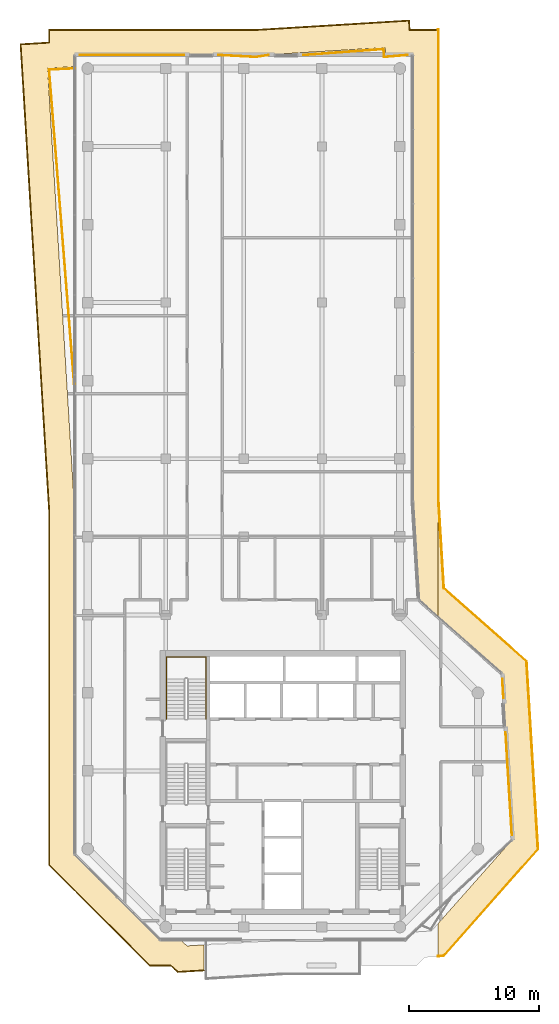
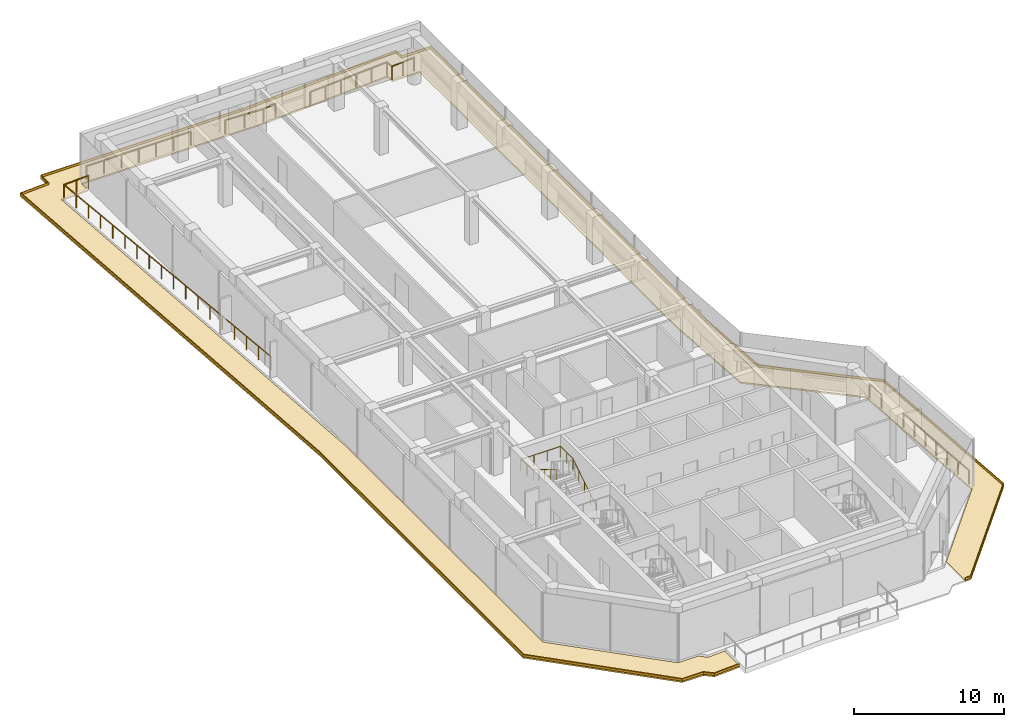
# One storey, part 21 of 21: 7 railings, 4 coverings.
"""IFC4 building model written with IfcOpenShell, lengths in metres."""

from ifc_helpers import new_model, si_unit, direction, frame, origin, origin_2d, place, context, subcontext, project, spatial, polyline, circle, outline, extrude, material, layer, layer_set, type_object, element, save


model = new_model("IFC4")

# Units and contexts
model_context = context("Model", 3, precision=1e-05, world=origin(), true_north=direction((0.0, 1.0)))
body_context = subcontext(model_context, "Body", "Model", "MODEL_VIEW")
ifc_project = project(units=[si_unit("LENGTHUNIT", "METRE"), si_unit("AREAUNIT", "SQUARE_METRE"), si_unit("VOLUMEUNIT", "CUBIC_METRE"), si_unit("PLANEANGLEUNIT", "RADIAN"), si_unit("MASSUNIT", "GRAM", prefix="KILO")], contexts=[model_context])

# Site, building, storey
site_placement = place(None, origin())
site = spatial("IfcSite", under=ifc_project, at=site_placement, CompositionType="ELEMENT")
building_placement = place(site_placement, origin())
building = spatial("IfcBuilding", under=site, at=building_placement, Name="Welwitschia Terrace Campus", CompositionType="ELEMENT")
storey_placement = place(building_placement, frame((0.0, 0.0, 213.800048828125)))
storey = spatial("IfcBuildingStorey", under=building, at=storey_placement, Name="L47", CompositionType="ELEMENT", Elevation=213.800048828125)

# Railings
ifc_material_1 = material(Name="Stainless steel grade 316", Category="steel")
railing_type_1 = type_object("IfcRailingType", Name="Guard 1100", PredefinedType="GUARDRAIL", material=ifc_material_1)
railing_1_placement = place(storey_placement, frame((-1.030029296875, 45.744140625, 0.0)))
element("IfcRailing", 1, at=railing_1_placement, inside=storey, type_object=railing_type_1, Name="Guard floor edge L47.0", PredefinedType="GUARDRAIL", context=body_context, shape_type="SweptSolid", body=[
    extrude(circle(Radius=0.02392578125, at=origin_2d()), frame((0.0, 0.0, 1.076171875), z_axis=(-0.079531868995, 0.996832323821, 0.0), x_axis=(-0.996832323821, -0.079531868995, 0.0)), (0.0, 0.0, 1.0), 24.24169921875),
    extrude(circle(Radius=0.02392578125, at=origin_2d()), frame((-1.927978515625, 24.164794921875, 1.076171875), z_axis=(0.998904190997, 0.046801893209, 0.0), x_axis=(-0.046801893209, 0.998904190997, 0.0)), (0.0, 0.0, 1.0), 1.93017578125),
    extrude(circle(Radius=0.02099609375, at=origin_2d()), origin(), (0.0, 0.0, 1.0), 1.052001953125),
    extrude(circle(Radius=0.02099609375, at=origin_2d()), frame((-0.113525390625, 1.42138671875, 0.0)), (0.0, 0.0, 1.0), 1.052001953125),
    extrude(circle(Radius=0.02099609375, at=origin_2d()), frame((-0.226806640625, 2.843017578125, 0.0)), (0.0, 0.0, 1.0), 1.052001953125),
    extrude(circle(Radius=0.02099609375, at=origin_2d()), frame((-0.34033203125, 4.264404296875, 0.0)), (0.0, 0.0, 1.0), 1.052001953125),
    extrude(circle(Radius=0.02099609375, at=origin_2d()), frame((-0.45361328125, 5.685791015625, 0.0)), (0.0, 0.0, 1.0), 1.052001953125),
    extrude(circle(Radius=0.02099609375, at=origin_2d()), frame((-0.567138671875, 7.107177734375, 0.0)), (0.0, 0.0, 1.0), 1.052001953125),
    extrude(circle(Radius=0.02099609375, at=origin_2d()), frame((-0.680419921875, 8.52880859375, 0.0)), (0.0, 0.0, 1.0), 1.052001953125),
    extrude(circle(Radius=0.02099609375, at=origin_2d()), frame((-0.7939453125, 9.9501953125, 0.0)), (0.0, 0.0, 1.0), 1.052001953125),
    extrude(circle(Radius=0.02099609375, at=origin_2d()), frame((-0.9072265625, 11.37158203125, 0.0)), (0.0, 0.0, 1.0), 1.052001953125),
    extrude(circle(Radius=0.02099609375, at=origin_2d()), frame((-1.020751953125, 12.793212890625, 0.0)), (0.0, 0.0, 1.0), 1.052001953125),
    extrude(circle(Radius=0.02099609375, at=origin_2d()), frame((-1.134033203125, 14.214599609375, 0.0)), (0.0, 0.0, 1.0), 1.052001953125),
    extrude(circle(Radius=0.02099609375, at=origin_2d()), frame((-1.24755859375, 15.635986328125, 0.0)), (0.0, 0.0, 1.0), 1.052001953125),
    extrude(circle(Radius=0.02099609375, at=origin_2d()), frame((-1.36083984375, 17.0576171875, 0.0)), (0.0, 0.0, 1.0), 1.052001953125),
    extrude(circle(Radius=0.02099609375, at=origin_2d()), frame((-1.474365234375, 18.47900390625, 0.0)), (0.0, 0.0, 1.0), 1.052001953125),
    extrude(circle(Radius=0.02099609375, at=origin_2d()), frame((-1.587646484375, 19.900390625, 0.0)), (0.0, 0.0, 1.0), 1.052001953125),
    extrude(circle(Radius=0.02099609375, at=origin_2d()), frame((-1.701171875, 21.32177734375, 0.0)), (0.0, 0.0, 1.0), 1.052001953125),
    extrude(circle(Radius=0.02099609375, at=origin_2d()), frame((-1.814453125, 22.743408203125, 0.0)), (0.0, 0.0, 1.0), 1.052001953125),
    extrude(circle(Radius=0.02099609375, at=origin_2d()), frame((-1.927978515625, 24.164794921875, 0.0)), (0.0, 0.0, 1.0), 1.052001953125),
    extrude(circle(Radius=0.02099609375, at=origin_2d()), frame((-0.9638671875, 24.2099609375, 0.0)), (0.0, 0.0, 1.0), 1.052001953125),
    extrude(circle(Radius=0.02099609375, at=origin_2d()), frame((0.0, 24.255126953125, 0.0)), (0.0, 0.0, 1.0), 1.052001953125),
])
railing_2_placement = place(storey_placement, frame((-0.580078125, 71.030029296875, 0.0)))
element("IfcRailing", 2, at=railing_2_placement, inside=storey, type_object=railing_type_1, Name="Guard floor edge L47.1", PredefinedType="GUARDRAIL", context=body_context, shape_type="SweptSolid", body=[
    extrude(circle(Radius=0.02392578125, at=origin_2d()), frame((0.0, 0.0, 1.076171875), z_axis=(1.0, 0.0, 0.0), x_axis=(0.0, 1.0, 0.0)), (0.0, 0.0, 1.0), 7.998779296875),
    extrude(circle(Radius=0.02099609375, at=origin_2d()), origin(), (0.0, 0.0, 1.0), 1.052001953125),
    extrude(circle(Radius=0.02099609375, at=origin_2d()), frame((1.3330078125, 0.0, 0.0)), (0.0, 0.0, 1.0), 1.052001953125),
    extrude(circle(Radius=0.02099609375, at=origin_2d()), frame((2.666259765625, 0.0, 0.0)), (0.0, 0.0, 1.0), 1.052001953125),
    extrude(circle(Radius=0.02099609375, at=origin_2d()), frame((3.99951171875, 0.0, 0.0)), (0.0, 0.0, 1.0), 1.052001953125),
    extrude(circle(Radius=0.02099609375, at=origin_2d()), frame((5.33251953125, 0.0, 0.0)), (0.0, 0.0, 1.0), 1.052001953125),
    extrude(circle(Radius=0.02099609375, at=origin_2d()), frame((6.66552734375, 0.0, 0.0)), (0.0, 0.0, 1.0), 1.052001953125),
    extrude(circle(Radius=0.02099609375, at=origin_2d()), frame((7.998779296875, 0.0, 0.0)), (0.0, 0.0, 1.0), 1.052001953125),
])
railing_3_placement = place(storey_placement, frame((10.066162109375, 71.030029296875, 0.0)))
element("IfcRailing", 3, at=railing_3_placement, inside=storey, type_object=railing_type_1, Name="Guard floor edge L47.2", PredefinedType="GUARDRAIL", context=body_context, shape_type="SweptSolid", body=[
    extrude(circle(Radius=0.02392578125, at=origin_2d()), frame((0.0, 0.0, 1.076171875), z_axis=(0.998618065384, -0.052554347956, 0.0), x_axis=(0.052554347956, 0.998618065384, 0.0)), (0.0, 0.0, 1.0), 2.85693359375),
    extrude(circle(Radius=0.02392578125, at=origin_2d()), frame((2.85302734375, -0.150146484375, 1.076171875), z_axis=(0.988856308526, 0.148873103976, 0.0), x_axis=(-0.148873103976, 0.988856308526, 0.0)), (0.0, 0.0, 1.0), 1.008544921875),
    extrude(circle(Radius=0.02099609375, at=origin_2d()), origin(), (0.0, 0.0, 1.0), 1.052001953125),
    extrude(circle(Radius=0.02099609375, at=origin_2d()), frame((1.426513671875, -0.0751953125, 0.0)), (0.0, 0.0, 1.0), 1.052001953125),
    extrude(circle(Radius=0.02099609375, at=origin_2d()), frame((2.85302734375, -0.150146484375, 0.0)), (0.0, 0.0, 1.0), 1.052001953125),
    extrude(circle(Radius=0.02099609375, at=origin_2d()), frame((3.850341796875, 0.0, 0.0)), (0.0, 0.0, 1.0), 1.052001953125),
])
railing_4_placement = place(storey_placement, frame((16.6005859375, 71.030029296875, 0.0)))
element("IfcRailing", 4, at=railing_4_placement, inside=storey, type_object=railing_type_1, Name="Guard floor edge L47.3", PredefinedType="GUARDRAIL", context=body_context, shape_type="SweptSolid", body=[
    extrude(circle(Radius=0.02392578125, at=origin_2d()), frame((0.0, 0.0, 1.076171875), z_axis=(0.997319867902, 0.073164753045, 0.0), x_axis=(-0.073164753045, 0.997319867902, 0.0)), (0.0, 0.0, 1.0), 6.169921875),
    extrude(circle(Radius=0.02392578125, at=origin_2d()), frame((6.1533203125, 0.451416015625, 1.076171875), z_axis=(0.061167716242, -0.998127502121, 0.0), x_axis=(0.998127502121, 0.061167716242, 0.0)), (0.0, 0.0, 1.0), 0.602783203125),
    extrude(circle(Radius=0.02392578125, at=origin_2d()), frame((6.190185546875, -0.150146484375, 1.076171875), z_axis=(0.996497770344, 0.083619338076, 0.0), x_axis=(-0.083619338076, 0.996497770344, 0.0)), (0.0, 0.0, 1.0), 1.795654296875),
    extrude(circle(Radius=0.02099609375, at=origin_2d()), origin(), (0.0, 0.0, 1.0), 1.052001953125),
    extrude(circle(Radius=0.02099609375, at=origin_2d()), frame((1.230712890625, 0.09033203125, 0.0)), (0.0, 0.0, 1.0), 1.052001953125),
    extrude(circle(Radius=0.02099609375, at=origin_2d()), frame((2.46142578125, 0.1806640625, 0.0)), (0.0, 0.0, 1.0), 1.052001953125),
    extrude(circle(Radius=0.02099609375, at=origin_2d()), frame((3.69189453125, 0.270751953125, 0.0)), (0.0, 0.0, 1.0), 1.052001953125),
    extrude(circle(Radius=0.02099609375, at=origin_2d()), frame((4.922607421875, 0.361083984375, 0.0)), (0.0, 0.0, 1.0), 1.052001953125),
    extrude(circle(Radius=0.02099609375, at=origin_2d()), frame((6.1533203125, 0.451416015625, 0.0)), (0.0, 0.0, 1.0), 1.052001953125),
    extrude(circle(Radius=0.02099609375, at=origin_2d()), frame((6.190185546875, -0.150146484375, 0.0)), (0.0, 0.0, 1.0), 1.052001953125),
    extrude(circle(Radius=0.02099609375, at=origin_2d()), frame((7.0849609375, -0.0751953125, 0.0)), (0.0, 0.0, 1.0), 1.052001953125),
    extrude(circle(Radius=0.02099609375, at=origin_2d()), frame((7.9794921875, 0.0, 0.0)), (0.0, 0.0, 1.0), 1.052001953125),
])
railing_5_placement = place(storey_placement, frame((31.87646484375, 23.071044921875, 0.0)))
element("IfcRailing", 5, at=railing_5_placement, inside=storey, type_object=railing_type_1, Name="Guard floor edge L47.5", PredefinedType="GUARDRAIL", context=body_context, shape_type="SweptSolid", body=[
    extrude(circle(Radius=0.02392578125, at=origin_2d()), frame((0.0, 0.0, 1.076171875), z_axis=(0.060957678737, -0.998140351555, 0.0), x_axis=(0.998140351555, 0.060957678737, 0.0)), (0.0, 0.0, 1.0), 1.4658203125),
    extrude(circle(Radius=0.02099609375, at=origin_2d()), origin(), (0.0, 0.0, 1.0), 1.052001953125),
    extrude(circle(Radius=0.02099609375, at=origin_2d()), frame((0.08935546875, -1.463134765625, 0.0)), (0.0, 0.0, 1.0), 1.052001953125),
])
railing_6_placement = place(storey_placement, frame((32.12744140625, 18.96533203125, 0.0)))
element("IfcRailing", 6, at=railing_6_placement, inside=storey, type_object=railing_type_1, Name="Guard floor edge L47.6", PredefinedType="GUARDRAIL", context=body_context, shape_type="SweptSolid", body=[
    extrude(circle(Radius=0.02392578125, at=origin_2d()), frame((0.0, 0.0, 1.076171875), z_axis=(0.061062892706, -0.998133920441, 0.0), x_axis=(0.998133920441, 0.061062892706, 0.0)), (0.0, 0.0, 1.0), 7.892333984375),
    extrude(circle(Radius=0.02099609375, at=origin_2d()), origin(), (0.0, 0.0, 1.0), 1.052001953125),
    extrude(circle(Radius=0.02099609375, at=origin_2d()), frame((0.080322265625, -1.31298828125, 0.0)), (0.0, 0.0, 1.0), 1.052001953125),
    extrude(circle(Radius=0.02099609375, at=origin_2d()), frame((0.16064453125, -2.6259765625, 0.0)), (0.0, 0.0, 1.0), 1.052001953125),
    extrude(circle(Radius=0.02099609375, at=origin_2d()), frame((0.240966796875, -3.93896484375, 0.0)), (0.0, 0.0, 1.0), 1.052001953125),
    extrude(circle(Radius=0.02099609375, at=origin_2d()), frame((0.3212890625, -5.251708984375, 0.0)), (0.0, 0.0, 1.0), 1.052001953125),
    extrude(circle(Radius=0.02099609375, at=origin_2d()), frame((0.401611328125, -6.564697265625, 0.0)), (0.0, 0.0, 1.0), 1.052001953125),
    extrude(circle(Radius=0.02099609375, at=origin_2d()), frame((0.48193359375, -7.877685546875, 0.0)), (0.0, 0.0, 1.0), 1.052001953125),
])
ifc_material_2 = material(Name="Steel S355", Category="steel")
railing_type_2 = type_object("IfcRailingType", Name="Stair handrail 900", PredefinedType="HANDRAIL", material=ifc_material_2)
railing_7_placement = place(storey_placement, frame((9.10009765625, 20.0, 0.175048828125)))
element("IfcRailing", 7, at=railing_7_placement, inside=storey, type_object=railing_type_2, Name="L47 S4 stair handrail", PredefinedType="HANDRAIL", context=body_context, shape_type="SweptSolid", body=[
    extrude(circle(Radius=0.02392578125, at=origin_2d()), frame((0.0, 0.0, 0.8759765625), z_axis=(0.0, 0.848028513186, 0.529950602248), x_axis=(-1.0, 0.0, 0.0)), (0.0, 0.0, 1.0), 3.632080078125),
    extrude(circle(Radius=0.02392578125, at=origin_2d()), frame((0.0, 3.080078125, 2.80078125), z_axis=(0.0, 1.0, 0.0), x_axis=(-1.0, 0.0, 0.0)), (0.0, 0.0, 1.0), 1.669921875),
    extrude(circle(Radius=0.02392578125, at=origin_2d()), frame((0.0, 4.75, 2.80078125), z_axis=(-1.0, 0.0, 0.0), x_axis=(0.0, -1.0, 0.0)), (0.0, 0.0, 1.0), 3.050048828125),
    extrude(circle(Radius=0.02392578125, at=origin_2d()), frame((-3.050048828125, 4.75, 2.80078125), z_axis=(0.0, -0.99455077262, 0.104253348533), x_axis=(1.0, 0.0, 0.0)), (0.0, 0.0, 1.0), 1.678955078125),
    extrude(circle(Radius=0.02392578125, at=origin_2d()), frame((-3.050048828125, 3.080078125, 2.9755859375), z_axis=(0.0, -0.847998304005, 0.529998940003), x_axis=(1.0, 0.0, 0.0)), (0.0, 0.0, 1.0), 3.632080078125),
    extrude(circle(Radius=0.02099609375, at=origin_2d()), origin(), (0.0, 0.0, 1.0), 0.851806640625),
    extrude(circle(Radius=0.02099609375, at=origin_2d()), frame((0.0, 0.77001953125, 0.481201171875)), (0.0, 0.0, 1.0), 0.851806640625),
    extrude(circle(Radius=0.02099609375, at=origin_2d()), frame((0.0, 1.5400390625, 0.96240234375)), (0.0, 0.0, 1.0), 0.851806640625),
    extrude(circle(Radius=0.02099609375, at=origin_2d()), frame((0.0, 2.31005859375, 1.443603515625)), (0.0, 0.0, 1.0), 0.851806640625),
    extrude(circle(Radius=0.02099609375, at=origin_2d()), frame((0.0, 3.080078125, 1.9248046875)), (0.0, 0.0, 1.0), 0.851806640625),
    extrude(circle(Radius=0.02099609375, at=origin_2d()), frame((0.0, 3.9150390625, 1.9248046875)), (0.0, 0.0, 1.0), 0.851806640625),
    extrude(circle(Radius=0.02099609375, at=origin_2d()), frame((0.0, 4.75, 1.9248046875)), (0.0, 0.0, 1.0), 0.851806640625),
    extrude(circle(Radius=0.02099609375, at=origin_2d()), frame((-1.0166015625, 4.75, 1.9248046875)), (0.0, 0.0, 1.0), 0.851806640625),
    extrude(circle(Radius=0.02099609375, at=origin_2d()), frame((-2.033447265625, 4.75, 1.9248046875)), (0.0, 0.0, 1.0), 0.851806640625),
    extrude(circle(Radius=0.02099609375, at=origin_2d()), frame((-3.050048828125, 4.75, 1.9248046875)), (0.0, 0.0, 1.0), 0.851806640625),
    extrude(circle(Radius=0.02099609375, at=origin_2d()), frame((-3.050048828125, 3.9150390625, 2.01220703125)), (0.0, 0.0, 1.0), 0.851806640625),
    extrude(circle(Radius=0.02099609375, at=origin_2d()), frame((-3.050048828125, 3.080078125, 2.099853515625)), (0.0, 0.0, 1.0), 0.851806640625),
    extrude(circle(Radius=0.02099609375, at=origin_2d()), frame((-3.050048828125, 2.31005859375, 2.5810546875)), (0.0, 0.0, 1.0), 0.851806640625),
    extrude(circle(Radius=0.02099609375, at=origin_2d()), frame((-3.050048828125, 1.5400390625, 3.0625)), (0.0, 0.0, 1.0), 0.851806640625),
    extrude(circle(Radius=0.02099609375, at=origin_2d()), frame((-3.050048828125, 0.77001953125, 3.543701171875)), (0.0, 0.0, 1.0), 0.851806640625),
    extrude(circle(Radius=0.02099609375, at=origin_2d()), frame((-3.050048828125, 0.0, 4.02490234375)), (0.0, 0.0, 1.0), 0.851806640625),
])

# Coverings
ifc_material_3 = material(Name="Bronze anodised aluminium", Category="aluminium")
ifc_layer_1 = layer(ifc_material_3, 0.1201171875)
ifc_layer_set_1 = layer_set([ifc_layer_1], Name="Bronze anodised aluminium")
covering_type_1 = type_object("IfcCoveringType", Name="Sunshade band 2000", PredefinedType="USERDEFINED", material=ifc_layer_set_1)
covering_1_placement = place(storey_placement, frame((0.0, 0.0, -0.300048828125)))
element("IfcCovering", 8, at=covering_1_placement, inside=storey, type_object=covering_type_1, Name="SUNSHADE L47.SW0", ObjectType="SUNSHADE", PredefinedType="USERDEFINED", context=body_context, shape_type="SweptSolid", body=[
    extrude(outline(polyline([(-3.0, 73.0), (12.8544921875, 73.0), (24.740478515625, 73.72705078125), (24.78515625, 73.0), (26.914794921875, 73.0), (26.914794921875, 27.820556640625), (25.46630859375, 29.102294921875), (25.0, 36.72509765625), (25.0, 71.0), (22.90380859375, 71.0), (22.866455078125, 71.608642578125), (12.91552734375, 71.0), (-1.0, 71.0), (-1.0, 70.14892578125), (-3.085205078125, 70.021484375), (-1.0, 35.9306640625), (-1.0, 9.585693359375), (5.585693359375, 3.0), (7.13134765625, 3.0), (7.6396484375, 2.55029296875), (8.949951171875, 2.63037109375), (8.949951171875, 0.626708984375), (6.934814453125, 0.50341796875), (6.37353515625, 1.0), (4.75732421875, 1.0), (-3.0, 8.75732421875), (-3.0, 35.869384765625), (-5.203369140625, 71.8955078125), (-3.0, 72.0302734375), (-3.0, 73.0)])), origin(), (0.0, 0.0, 1.0), 0.1201171875),
])
covering_2_placement = place(storey_placement, frame((0.0, 0.0, -0.300048828125)))
element("IfcCovering", 9, at=covering_2_placement, inside=storey, type_object=covering_type_1, Name="SUNSHADE L47.SE0", ObjectType="SUNSHADE", PredefinedType="USERDEFINED", context=body_context, shape_type="SweptSolid", body=[
    extrude(outline(polyline([(27.0, 73.0), (27.0, 36.7861328125), (27.411865234375, 30.05126953125), (33.76708984375, 24.4287109375), (34.6513671875, 9.970458984375), (27.382080078125, 1.75390625), (26.914794921875, 1.725341796875), (26.914794921875, 4.244384765625), (32.6044921875, 10.67529296875), (31.8212890625, 23.479736328125), (26.914794921875, 27.820556640625), (26.914794921875, 73.0), (27.0, 73.0)])), origin(), (0.0, 0.0, 1.0), 0.1201171875),
])
ifc_material_4 = material(Name="Bronze anodised aluminium", Category="aluminium")
ifc_layer_2 = layer(ifc_material_4, 0.06005859375)
ifc_layer_set_2 = layer_set([ifc_layer_2], Name="Bronze anodised aluminium")
covering_type_2 = type_object("IfcCoveringType", Name="Sunshade lip 60", PredefinedType="USERDEFINED", material=ifc_layer_set_2)
covering_3_placement = place(storey_placement, frame((0.0, 0.0, -0.179931640625)))
element("IfcCovering", 10, at=covering_3_placement, inside=storey, type_object=covering_type_2, Name="SUNSHADE LIP L47.SW0.0", ObjectType="SUNSHADE", PredefinedType="USERDEFINED", context=body_context, shape_type="SweptSolid", body=[
    extrude(outline(polyline([(12.8544921875, 73.0), (24.740478515625, 73.72705078125), (24.78515625, 73.0), (26.914794921875, 73.0), (26.914794921875, 72.93994140625), (24.728515625, 72.93994140625), (24.684326171875, 73.663330078125), (12.856201171875, 72.93994140625), (-2.93994140625, 72.93994140625), (-2.93994140625, 71.973876953125), (-5.139892578125, 71.83935546875), (-2.93994140625, 35.871337890625), (-2.93994140625, 8.7822265625), (4.7822265625, 1.06005859375), (6.396484375, 1.06005859375), (6.9560546875, 0.564697265625), (8.949951171875, 0.686767578125), (8.949951171875, 0.626708984375), (6.934814453125, 0.50341796875), (6.37353515625, 1.0), (4.75732421875, 1.0), (-3.0, 8.75732421875), (-3.0, 35.869384765625), (-5.203369140625, 71.8955078125), (-3.0, 72.0302734375), (-3.0, 73.0), (12.8544921875, 73.0)])), origin(), (0.0, 0.0, 1.0), 0.179931640625),
])
covering_4_placement = place(storey_placement, frame((0.0, 0.0, -0.179931640625)))
element("IfcCovering", 11, at=covering_4_placement, inside=storey, type_object=covering_type_2, Name="SUNSHADE LIP L47.SE0.0", ObjectType="SUNSHADE", PredefinedType="USERDEFINED", context=body_context, shape_type="SweptSolid", body=[
    extrude(outline(polyline([(27.0, 36.7861328125), (27.411865234375, 30.05126953125), (33.76708984375, 24.4287109375), (34.6513671875, 9.970458984375), (27.382080078125, 1.75390625), (26.914794921875, 1.725341796875), (26.914794921875, 1.785400390625), (27.353515625, 1.8125), (34.58984375, 9.99169921875), (33.708740234375, 24.400390625), (27.353515625, 30.022705078125), (26.93994140625, 36.7841796875), (26.93994140625, 72.93994140625), (26.914794921875, 72.93994140625), (26.914794921875, 73.0), (27.0, 73.0), (27.0, 36.7861328125)])), origin(), (0.0, 0.0, 1.0), 0.179931640625),
])

save(model, "model.ifc")
